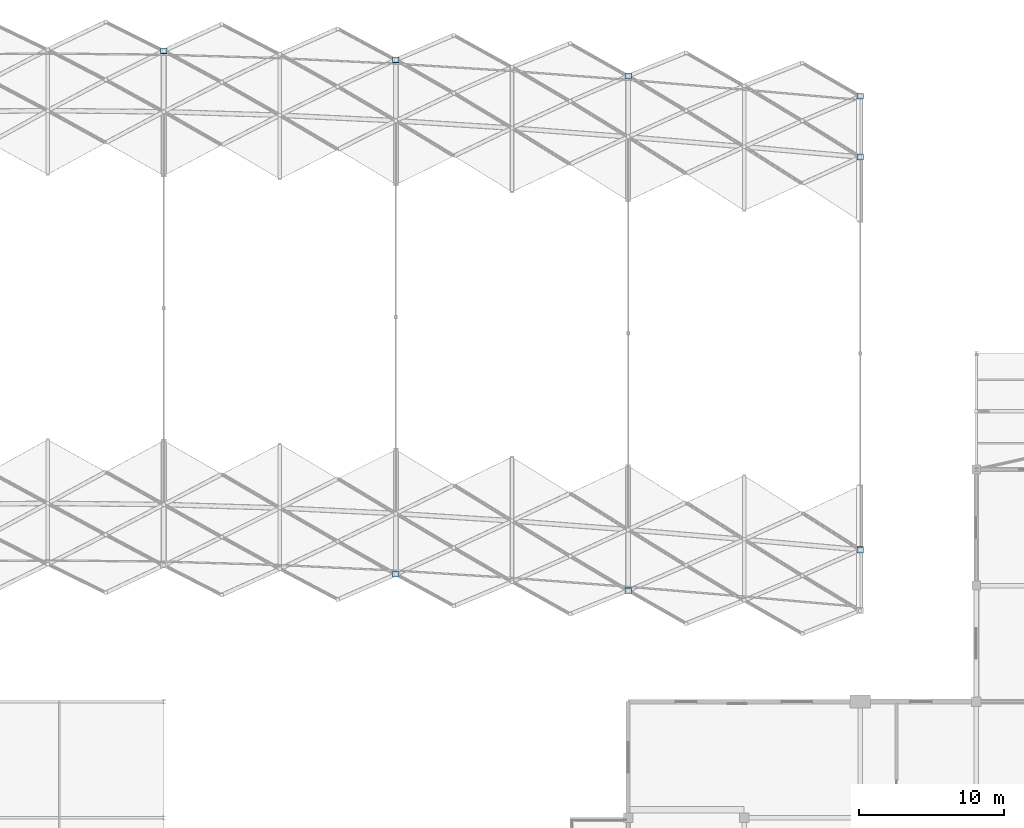
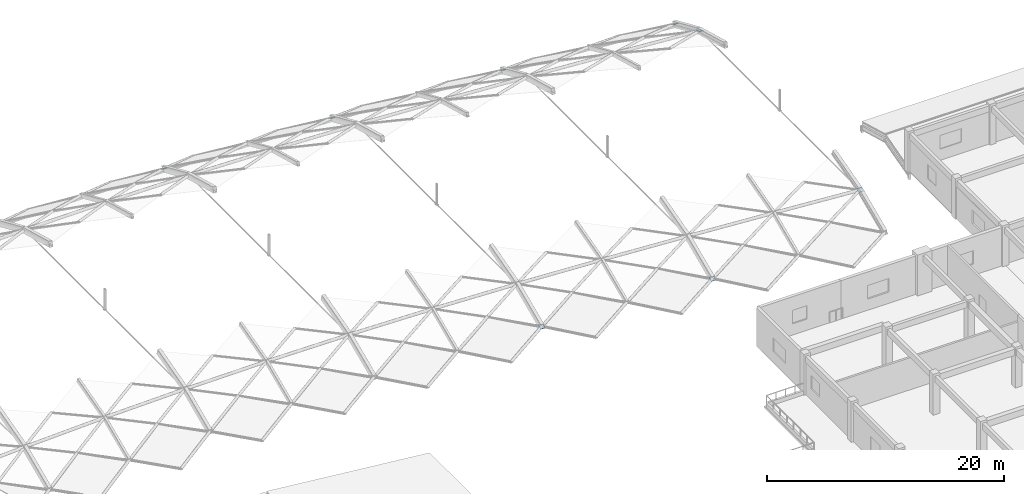
# One storey, part 37 of 54: 8 plates.
"""IFC4 building model written with IfcOpenShell, lengths in metres."""

import ifcopenshell
import ifcopenshell.guid

model = None  # the IFC model being written
_history = None  # IfcOwnerHistory: only IFC2X3 demands one
_inside = {}  # id of a spatial element -> (the spatial element, [elements in it])
_under = {}  # id of a project, library or spatial element -> (it, [spatial elements below it])
_declared = {}  # id of a project -> (the project, [libraries it declares])
_typed = {}  # id of a type object -> (the type object, [elements of that type])
_made_of = {}  # id of a material, layer set ... -> (it, [elements and type objects made of it])


def new_model(schema):
    """Start an empty IFC model of exactly this schema.

    Asked for "IFC4X3", IfcOpenShell would pick the latest addendum, in which some entities
    have other attributes; the version numbers below select the first issue.
    IFC2X3 requires an IfcOwnerHistory on every rooted entity: one is made here for all.
    """
    global model, _history
    if schema == "IFC4X3":
        model = ifcopenshell.file(schema_version=(4, 3, 0, 0))
    else:
        model = ifcopenshell.file(schema=schema)
    _inside.clear()
    _under.clear()
    _declared.clear()
    _typed.clear()
    _made_of.clear()
    _history = None
    if model.schema == "IFC2X3":
        org = make("IfcOrganization", Name="unknown")
        user = make(
            "IfcPersonAndOrganization",
            ThePerson=make("IfcPerson", FamilyName="unknown"),
            TheOrganization=org,
        )
        app = make(
            "IfcApplication",
            ApplicationDeveloper=org,
            Version="unknown",
            ApplicationFullName="unknown",
            ApplicationIdentifier="unknown",
        )
        _history = make(
            "IfcOwnerHistory",
            OwningUser=user,
            OwningApplication=app,
            ChangeAction="ADDED",
            CreationDate=0,
        )
    return model


def make(cls, **values):
    """One entity of the class cls with the attributes given. An attribute that is None is left unset."""
    return model.create_entity(
        cls, **{name: value for name, value in values.items() if value is not None}
    )


def rooted(cls, **values):
    """An entity with a GlobalId (a new one), such as an element, a storey or a relation."""
    return make(cls, GlobalId=ifcopenshell.guid.new(), OwnerHistory=_history, **values)


def si_unit(unit_type, name, prefix=None):
    """IfcSIUnit, for example si_unit("LENGTHUNIT", "METRE", prefix="MILLI")."""
    return make("IfcSIUnit", UnitType=unit_type, Prefix=prefix, Name=name)


def assignment(units):
    """IfcUnitAssignment: the units of a project."""
    return None if units is None else make("IfcUnitAssignment", Units=units)


def point(xyz):
    """IfcCartesianPoint."""
    return None if xyz is None else make("IfcCartesianPoint", Coordinates=xyz)


def direction(xyz):
    """IfcDirection."""
    return None if xyz is None else make("IfcDirection", DirectionRatios=xyz)


def frame(location, z_axis=None, x_axis=None):
    """IfcAxis2Placement3D, a coordinate frame: its origin and axes. An axis left out is left unset."""
    return make(
        "IfcAxis2Placement3D",
        Location=point(location),
        Axis=direction(z_axis),
        RefDirection=direction(x_axis),
    )


def origin():
    """The frame at (0, 0, 0) with its axes left unset."""
    return frame((0.0, 0.0, 0.0))


def place(relative_to, where):
    """IfcLocalPlacement: puts the frame where relative to a parent placement (None: the world)."""
    return make(
        "IfcLocalPlacement", PlacementRelTo=relative_to, RelativePlacement=where
    )


def context(
    kind, dimensions, precision=None, world=None, true_north=None, identifier=None
):
    """IfcGeometricRepresentationContext, for example the 3D "Model" context."""
    return make(
        "IfcGeometricRepresentationContext",
        ContextIdentifier=identifier,
        ContextType=kind,
        CoordinateSpaceDimension=dimensions,
        Precision=precision,
        WorldCoordinateSystem=world,
        TrueNorth=true_north,
    )


def subcontext(parent, identifier, kind, view, scale=None):
    """IfcGeometricRepresentationSubContext, for example "Body" below "Model"."""
    return make(
        "IfcGeometricRepresentationSubContext",
        ContextIdentifier=identifier,
        ContextType=kind,
        ParentContext=parent,
        TargetScale=scale,
        TargetView=view,
    )


def project(units=None, contexts=None):
    """IfcProject with its units and contexts."""
    return rooted(
        "IfcProject",
        Name="project",
        RepresentationContexts=contexts,
        UnitsInContext=assignment(units),
    )


def spatial(cls, under=None, at=None, **own):
    """A site, building, storey or space (cls), placed at a placement, below another one or the project."""
    s = rooted(cls, ObjectPlacement=at, **own)
    if under is not None:
        _under.setdefault(under.id(), (under, []))[1].append(s)
    return s


def polyline(points):
    """IfcPolyline through the points."""
    return make("IfcPolyline", Points=[point(p) for p in points])


def outline(outer, holes=None, kind="AREA"):
    """IfcArbitraryClosedProfileDef: a profile drawn as a closed curve; with holes, ...WithVoids."""
    if holes is None:
        return make("IfcArbitraryClosedProfileDef", ProfileType=kind, OuterCurve=outer)
    return make(
        "IfcArbitraryProfileDefWithVoids",
        ProfileType=kind,
        OuterCurve=outer,
        InnerCurves=holes,
    )


def extrude(swept, where, along, depth):
    """IfcExtrudedAreaSolid: the profile swept, set in the frame where, extruded along a direction by depth."""
    return make(
        "IfcExtrudedAreaSolid",
        SweptArea=swept,
        Position=where,
        ExtrudedDirection=direction(along),
        Depth=depth,
    )


def shape(context_of_items, identifier, shape_type, items):
    """IfcShapeRepresentation: the items that make up one representation, for example the "Body"."""
    return make(
        "IfcShapeRepresentation",
        ContextOfItems=context_of_items,
        RepresentationIdentifier=identifier,
        RepresentationType=shape_type,
        Items=items,
    )


def material(Name=None, Category=None):
    """IfcMaterial."""
    return make("IfcMaterial", Name=Name, Category=Category)


def layer(
    of_material, thickness, ventilated=None, Name=None, Category=None, Priority=None
):
    """IfcMaterialLayer: one layer of a wall or slab, of a material (None: an air gap)."""
    return make(
        "IfcMaterialLayer",
        Material=of_material,
        LayerThickness=thickness,
        IsVentilated=ventilated,
        Name=Name,
        Category=Category,
        Priority=Priority,
    )


def layer_set(layers, Name=None):
    """IfcMaterialLayerSet."""
    return make("IfcMaterialLayerSet", MaterialLayers=layers, LayerSetName=Name)


def made_of(thing, what):
    """Note that an element or type object is made of a material, layer set ...; save() writes the relation."""
    if what is not None:
        _made_of.setdefault(what.id(), (what, []))[1].append(thing)
    return thing


def type_object(cls, material=None, **own):
    """A type object (cls), such as IfcWallType, which elements share."""
    return made_of(rooted(cls, **own), material)


def element(
    cls,
    number,
    at=None,
    inside=None,
    cuts=None,
    type_object=None,
    material=None,
    context=None,
    identifier="Body",
    shape_type=None,
    held_by="IfcProductDefinitionShape",
    body=None,
    shapes=None,
    **own,
):
    """One element of the class cls, such as IfcWall. Its Tag is "e" and its number.

    at: its placement. inside: the storey or other place that contains it. cuts: it is an
    opening in that element (IfcRelVoidsElement). A single representation is given by context,
    identifier, shape_type and body (its items); several are given by shapes. held_by: the class
    of the entity that holds the representations. save() writes the other relations.
    """
    e = rooted(cls, Tag="e%d" % number, ObjectPlacement=at, **own)
    if body is not None:
        shapes = [shape(context, identifier, shape_type, body)]
    if shapes is not None:
        e.Representation = make(held_by, Representations=shapes)
    if inside is not None:
        _inside.setdefault(inside.id(), (inside, []))[1].append(e)
    if cuts is not None:
        rooted(
            "IfcRelVoidsElement", RelatingBuildingElement=cuts, RelatedOpeningElement=e
        )
    if type_object is not None:
        _typed.setdefault(type_object.id(), (type_object, []))[1].append(e)
    return made_of(e, material)


def aggregate(whole, parts):
    """IfcRelAggregates: a whole, such as a stair, and the parts it consists of."""
    return rooted("IfcRelAggregates", RelatingObject=whole, RelatedObjects=parts)


def save(model, path):
    """Write the relations noted so far, then the file.

    IfcRelAggregates (storeys below a building ...), IfcRelContainedInSpatialStructure (elements
    in a storey), IfcRelDefinesByType, IfcRelAssociatesMaterial and IfcRelDeclares: one each for
    every whole, place, type object, material and project.
    """
    for whole, parts in _under.values():
        aggregate(whole, parts)
    for where, things in _inside.values():
        rooted(
            "IfcRelContainedInSpatialStructure",
            RelatedElements=things,
            RelatingStructure=where,
        )
    for kind, things in _typed.values():
        rooted("IfcRelDefinesByType", RelatedObjects=things, RelatingType=kind)
    for what, things in _made_of.values():
        rooted("IfcRelAssociatesMaterial", RelatedObjects=things, RelatingMaterial=what)
    for by, libraries in _declared.values():
        rooted("IfcRelDeclares", RelatingContext=by, RelatedDefinitions=libraries)
    model.write(path)


model = new_model("IFC4")

# Units and contexts
model_context = context("Model", 3, precision=1e-05, world=origin(), true_north=direction((0.0, 1.0)))
body_context = subcontext(model_context, "Body", "Model", "MODEL_VIEW")
ifc_project = project(units=[si_unit("LENGTHUNIT", "METRE"), si_unit("AREAUNIT", "SQUARE_METRE"), si_unit("VOLUMEUNIT", "CUBIC_METRE"), si_unit("PLANEANGLEUNIT", "RADIAN"), si_unit("MASSUNIT", "GRAM", prefix="KILO")], contexts=[model_context])

# Site, building, storey
site_placement = place(None, origin())
site = spatial("IfcSite", under=ifc_project, at=site_placement, CompositionType="ELEMENT")
building_placement = place(site_placement, origin())
building = spatial("IfcBuilding", under=site, at=building_placement, Name="Kenh Van Central Station", CompositionType="ELEMENT")
storey_placement = place(building_placement, frame((0.0, 0.0, 15.0)))
storey = spatial("IfcBuildingStorey", under=building, at=storey_placement, Name="L03", CompositionType="ELEMENT", Elevation=15.0)

# Plates
ifc_material = material(Name="White fluoropolymer structural steel S355", Category="steel")
ifc_layer = layer(ifc_material, 0.02490234375, Name="White fluoropolymer structural steel S355")
ifc_layer_set = layer_set([ifc_layer], Name="White fluoropolymer structural steel S355")
plate_type = type_object("IfcPlateType", Name="PLT-GUSSET-NP25", PredefinedType="USERDEFINED", material=ifc_layer_set)
for number, where, z_axis, x_axis, name in (
    (1, (95.780029296875, 108.657958984375, 2.335205078125), (0.0, 0.484983194007, 0.874523471115), (1.0, 0.0, 0.0), "Vault node gusset plate NP-25 031"),
    (2, (111.780029296875, 72.578857421875, 2.121826171875), (0.0, -0.484983194007, 0.874523471115), (1.0, 0.0, 0.0), "Vault node gusset plate NP-25 032"),
    (3, (111.780029296875, 108.0400390625, 2.335205078125), (0.0, 0.484983194007, 0.874523471115), (1.0, 0.0, 0.0), "Vault node gusset plate NP-25 036"),
    (4, (127.780029296875, 71.465576171875, 2.121826171875), (0.0, -0.484983194007, 0.874523471115), (1.0, 0.0, 0.0), "Vault node gusset plate NP-25 037"),
    (5, (127.780029296875, 106.926513671875, 2.335205078125), (0.0, 0.484983194007, 0.874523471115), (1.0, 0.0, 0.0), "Vault node gusset plate NP-25 041"),
):
    element("IfcPlate", number, at=place(storey_placement, frame(where, z_axis=z_axis, x_axis=x_axis)), inside=storey, type_object=plate_type, Name=name, ObjectType="GUSSET_PLATE", PredefinedType="USERDEFINED", context=body_context, shape_type="SweptSolid", body=[
        extrude(outline(polyline([(0.0, 0.0), (0.43994140625, 0.0), (0.43994140625, 0.4399717534275206), (0.0, 0.4399717534275206), (0.0, 0.0)])), origin(), (0.0, 0.0, -1.0), 0.02490234375),
    ])
for number, where, z_axis, x_axis, name in (
    (6, (143.780029296875, 74.258056640625, 3.996826171875), (0.0, -0.329015531379, 0.94432450996), (1.0, 0.0, 0.0), "Vault node gusset plate NP-25 044"),
    (7, (143.780029296875, 101.326416015625, 4.1416015625), (0.0, 0.329015531379, 0.94432450996), (1.0, 0.0, 0.0), "Vault node gusset plate NP-25 050"),
):
    element("IfcPlate", number, at=place(storey_placement, frame(where, z_axis=z_axis, x_axis=x_axis)), inside=storey, type_object=plate_type, Name=name, ObjectType="GUSSET_PLATE", PredefinedType="USERDEFINED", context=body_context, shape_type="SweptSolid", body=[
        extrude(outline(polyline([(0.0, 0.0), (0.43994140625, 0.0), (0.43994140625, 0.4400260073388299), (0.0, 0.4400260073388299), (0.0, 0.0)])), origin(), (0.0, 0.0, -1.0), 0.02490234375),
    ])
plate_placement = place(storey_placement, frame((143.780029296875, 105.5380859375, 2.335205078125), z_axis=(0.0, 0.484983194007, 0.874523471115), x_axis=(1.0, 0.0, 0.0)))
element("IfcPlate", 8, at=plate_placement, inside=storey, type_object=plate_type, Name="Vault node gusset plate NP-25 051", ObjectType="GUSSET_PLATE", PredefinedType="USERDEFINED", context=body_context, shape_type="SweptSolid", body=[
    extrude(outline(polyline([(0.0, 0.0), (0.43994140625, 0.0), (0.43994140625, 0.4399717534275206), (0.0, 0.4399717534275206), (0.0, 0.0)])), origin(), (0.0, 0.0, -1.0), 0.02490234375),
])

save(model, "model.ifc")
